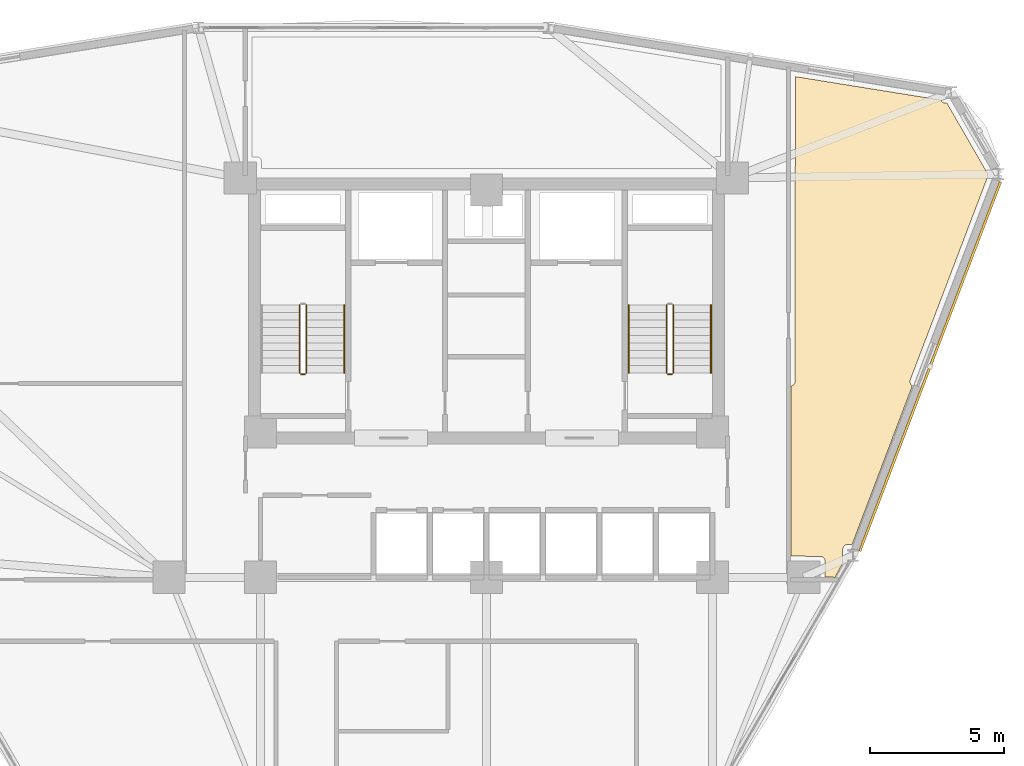
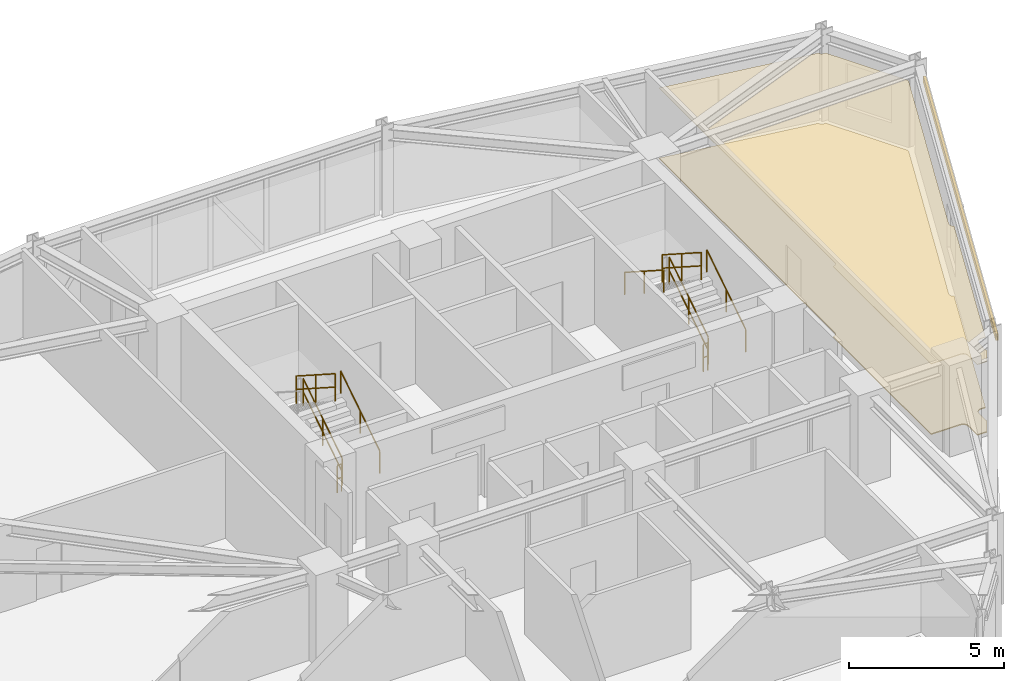
# One storey, part 14 of 15: 9 railings, 2 coverings, 1 shading device.
"""IFC4 building model written with IfcOpenShell, lengths in metres."""

from ifc_helpers import new_model, si_unit, derived_unit, direction, frame, origin, origin_2d, place, context, subcontext, project, spatial, polyline, hollow_rectangle, circle, outline, extrude, source, transform, mapped, material, layer, layer_set, material_profile, profile_set, type_object, element, save


model = new_model("IFC4")

# Units and contexts
model_context = context("Model", 3, precision=1e-05, world=origin(), true_north=direction((0.0, 1.0)))
body_context = subcontext(model_context, "Body", "Model", "MODEL_VIEW")
ifc_project = project(units=[si_unit("LENGTHUNIT", "METRE"), si_unit("AREAUNIT", "SQUARE_METRE"), si_unit("VOLUMEUNIT", "CUBIC_METRE"), si_unit("PLANEANGLEUNIT", "RADIAN"), si_unit("MASSUNIT", "GRAM", prefix="KILO"), derived_unit("THERMALTRANSMITTANCEUNIT", [(si_unit("POWERUNIT", "WATT"), 1), (si_unit("LENGTHUNIT", "METRE"), -2), (si_unit("THERMODYNAMICTEMPERATUREUNIT", "KELVIN"), -1)])], contexts=[model_context])

# Site, building, storey
site_placement = place(None, origin())
site = spatial("IfcSite", under=ifc_project, at=site_placement, CompositionType="ELEMENT")
building_placement = place(site_placement, origin())
building = spatial("IfcBuilding", under=site, at=building_placement, Name="Korsvarv Bourse and Concert Hall", CompositionType="ELEMENT")
storey_placement = place(building_placement, frame((0.0, 0.0, 147.0)))
storey = spatial("IfcBuildingStorey", under=building, at=storey_placement, Name="L37", CompositionType="ELEMENT", Elevation=147.0)

# Coverings
ifc_material_1 = material(Name="Perforated mineral-wool and birch acoustic baffle ceiling", Category="wood")
ifc_layer_1 = layer(ifc_material_1, 0.02490234375)
ifc_layer_set_1 = layer_set([ifc_layer_1], Name="Perforated mineral-wool and birch acoustic baffle ceiling")
covering_type_1 = type_object("IfcCoveringType", Name="COV-CEIL-1", PredefinedType="CEILING", material=ifc_layer_set_1)
covering_1_placement = place(storey_placement, frame((0.0, 0.0, 2.780029296875)))
element("IfcCovering", 1, at=covering_1_placement, inside=storey, type_object=covering_type_1, Name="L37 acoustic baffle ceiling 2", PredefinedType="CEILING", context=body_context, shape_type="SweptSolid", body=[
    extrude(outline(polyline([(47.320068359375, 39.51123046875), (47.34521484375, 39.515869140625), (47.37939453125, 39.5283203125), (47.41015625, 39.547607421875), (47.4365234375, 39.57275390625), (47.45751953125, 39.602783203125), (47.4716796875, 39.635986328125), (47.47900390625, 39.671875), (47.47998046875, 51.01513671875), (52.8974609375, 50.1435546875), (52.907470703125, 50.121826171875), (52.927978515625, 50.092041015625), (52.9541015625, 50.067138671875), (52.984619140625, 50.047607421875), (53.018310546875, 50.034912109375), (53.05419921875, 50.029052734375), (53.1201171875, 50.02490234375), (54.637939453125, 47.39599609375), (54.637939453125, 47.3056640625), (51.75634765625, 39.743408203125), (51.7470703125, 39.70849609375), (51.74462890625, 39.672119140625), (51.75, 39.63623046875), (51.76220703125, 39.60205078125), (51.781005859375, 39.571044921875), (51.8056640625, 39.54443359375), (51.835205078125, 39.523193359375), (49.593994140625, 33.619140625), (49.42529296875, 33.619140625), (49.390625, 33.61572265625), (49.357421875, 33.605712890625), (49.326416015625, 33.589599609375), (49.29931640625, 33.56787109375), (49.277099609375, 33.541259765625), (49.260009765625, 33.5107421875), (49.24951171875, 33.477783203125), (49.2451171875, 33.443115234375), (49.235107421875, 32.998046875), (49.23779296875, 32.962890625), (49.24755859375, 32.9287109375), (48.951904296875, 32.394775390625), (48.927490234375, 32.40185546875), (48.892578125, 32.405517578125), (48.590087890625, 32.408447265625), (48.590087890625, 33.0), (48.586669921875, 33.034912109375), (48.576416015625, 33.068603515625), (48.56005859375, 33.099609375), (48.537841796875, 33.126708984375), (48.5107421875, 33.149169921875), (48.47998046875, 33.166015625), (48.4462890625, 33.17626953125), (48.41162109375, 33.179931640625), (47.320068359375, 33.18896484375), (47.320068359375, 39.51123046875)])), origin(), (0.0, 0.0, 1.0), 0.02490234375),
])
ifc_material_2 = material(Name="Calcium-sulphate raised access trading floor with Nordic oak top", Category="wood")
ifc_layer_2 = layer(ifc_material_2, 0.0400390625)
ifc_layer_set_2 = layer_set([ifc_layer_2], Name="Calcium-sulphate raised access trading floor with Nordic oak top")
covering_type_2 = type_object("IfcCoveringType", Name="COV-FLOR-1", PredefinedType="FLOORING", material=ifc_layer_set_2)
covering_2_placement = place(storey_placement, origin())
element("IfcCovering", 2, at=covering_2_placement, inside=storey, type_object=covering_type_2, Name="L37 raised access oak floor finish 2", PredefinedType="FLOORING", context=body_context, shape_type="SweptSolid", body=[
    extrude(outline(polyline([(47.320068359375, 39.51123046875), (47.34521484375, 39.515869140625), (47.37939453125, 39.5283203125), (47.41015625, 39.547607421875), (47.4365234375, 39.57275390625), (47.45751953125, 39.602783203125), (47.4716796875, 39.635986328125), (47.47900390625, 39.671875), (47.47998046875, 51.01513671875), (52.8974609375, 50.1435546875), (52.907470703125, 50.121826171875), (52.927978515625, 50.092041015625), (52.9541015625, 50.067138671875), (52.984619140625, 50.047607421875), (53.018310546875, 50.034912109375), (53.05419921875, 50.029052734375), (53.1201171875, 50.02490234375), (54.637939453125, 47.39599609375), (54.637939453125, 47.3056640625), (51.75634765625, 39.743408203125), (51.7470703125, 39.70849609375), (51.74462890625, 39.672119140625), (51.75, 39.63623046875), (51.76220703125, 39.60205078125), (51.781005859375, 39.571044921875), (51.8056640625, 39.54443359375), (51.835205078125, 39.523193359375), (49.593994140625, 33.619140625), (49.42529296875, 33.619140625), (49.390625, 33.61572265625), (49.357421875, 33.605712890625), (49.326416015625, 33.589599609375), (49.29931640625, 33.56787109375), (49.277099609375, 33.541259765625), (49.260009765625, 33.5107421875), (49.24951171875, 33.477783203125), (49.2451171875, 33.443115234375), (49.235107421875, 32.998046875), (49.23779296875, 32.962890625), (49.24755859375, 32.9287109375), (48.951904296875, 32.394775390625), (48.927490234375, 32.40185546875), (48.892578125, 32.405517578125), (48.590087890625, 32.408447265625), (48.590087890625, 33.0), (48.586669921875, 33.034912109375), (48.576416015625, 33.068603515625), (48.56005859375, 33.099609375), (48.537841796875, 33.126708984375), (48.5107421875, 33.149169921875), (48.47998046875, 33.166015625), (48.4462890625, 33.17626953125), (48.41162109375, 33.179931640625), (47.320068359375, 33.18896484375), (47.320068359375, 39.51123046875)])), origin(), (0.0, 0.0, 1.0), 0.0400390625),
])

# Railings
ifc_material_3 = material(Name="Painted Steel S355 stair well guardrail", Category="steel")
railing_type_1 = type_object("IfcRailingType", Name="RL-ST-GRD", PredefinedType="GUARDRAIL", material=ifc_material_3)
railing_1_placement = place(storey_placement, frame((29.31005859375, 40.0, 0.179931640625)))
element("IfcRailing", 3, at=railing_1_placement, inside=storey, type_object=railing_type_1, Name="L37 ST-T1 stair guard 1", PredefinedType="GUARDRAIL", context=body_context, shape_type="SweptSolid", body=[
    extrude(circle(Radius=0.02392578125, at=origin_2d()), frame((0.0, 0.0, 1.076171875), z_axis=(0.0, 0.841162588446, 0.540782303519), x_axis=(-1.0, 0.0, 0.0)), (0.0, 0.0, 1.0), 2.995849609375),
    extrude(circle(Radius=0.02392578125, at=origin_2d()), frame((0.0, 0.0, 0.550048828125), z_axis=(0.0, 0.841162588446, 0.540782303519), x_axis=(-1.0, 0.0, 0.0)), (0.0, 0.0, 1.0), 2.995849609375),
    extrude(circle(Radius=0.02099609375, at=origin_2d()), origin(), (0.0, 0.0, 1.0), 1.052001953125),
    extrude(circle(Radius=0.02099609375, at=origin_2d()), frame((0.0, 1.260009765625, 0.81005859375)), (0.0, 0.0, 1.0), 1.052001953125),
    extrude(circle(Radius=0.02099609375, at=origin_2d()), frame((0.0, 2.52001953125, 1.6201171875)), (0.0, 0.0, 1.0), 1.052001953125),
])
railing_2_placement = place(storey_placement, frame((29.050048828125, 42.52001953125, 1.97998046875)))
element("IfcRailing", 4, at=railing_2_placement, inside=storey, type_object=railing_type_1, Name="L37 ST-T1 stair guard 3", PredefinedType="GUARDRAIL", context=body_context, shape_type="SweptSolid", body=[
    extrude(circle(Radius=0.02392578125, at=origin_2d()), frame((0.0, 0.0, 1.076171875), z_axis=(0.0, -0.841162588446, 0.540782303519), x_axis=(1.0, 0.0, 0.0)), (0.0, 0.0, 1.0), 2.995849609375),
    extrude(circle(Radius=0.02392578125, at=origin_2d()), frame((0.0, 0.0, 0.550048828125), z_axis=(0.0, -0.841162588446, 0.540782303519), x_axis=(1.0, 0.0, 0.0)), (0.0, 0.0, 1.0), 2.995849609375),
    extrude(circle(Radius=0.02099609375, at=origin_2d()), origin(), (0.0, 0.0, 1.0), 1.052001953125),
    extrude(circle(Radius=0.02099609375, at=origin_2d()), frame((0.0, -1.260009765625, 0.81005859375)), (0.0, 0.0, 1.0), 1.052001953125),
    extrude(circle(Radius=0.02099609375, at=origin_2d()), frame((0.0, -2.52001953125, 1.6201171875)), (0.0, 0.0, 1.0), 1.052001953125),
])
railing_3_placement = place(storey_placement, frame((29.260009765625, 39.949951171875, 0.0)))
element("IfcRailing", 5, at=railing_3_placement, inside=storey, type_object=railing_type_1, Name="L37 ST-T1 stair guard 4", PredefinedType="GUARDRAIL", context=body_context, shape_type="SweptSolid", body=[
    extrude(circle(Radius=0.02392578125, at=origin_2d()), frame((0.0, 0.0, 1.076171875), z_axis=(-1.0, 0.0, 0.0), x_axis=(0.0, -1.0, 0.0)), (0.0, 0.0, 1.0), 0.159912109375),
    extrude(circle(Radius=0.02392578125, at=origin_2d()), frame((0.0, 0.0, 0.550048828125), z_axis=(-1.0, 0.0, 0.0), x_axis=(0.0, -1.0, 0.0)), (0.0, 0.0, 1.0), 0.159912109375),
    extrude(circle(Radius=0.02099609375, at=origin_2d()), origin(), (0.0, 0.0, 1.0), 1.052001953125),
    extrude(circle(Radius=0.02099609375, at=origin_2d()), frame((-0.159912109375, 0.0, 0.0)), (0.0, 0.0, 1.0), 1.052001953125),
])
railing_4_placement = place(storey_placement, frame((42.949951171875, 40.0, 0.179931640625)))
element("IfcRailing", 6, at=railing_4_placement, inside=storey, type_object=railing_type_1, Name="L37 ST-T2 stair guard 1", PredefinedType="GUARDRAIL", context=body_context, shape_type="SweptSolid", body=[
    extrude(circle(Radius=0.02392578125, at=origin_2d()), frame((0.0, 0.0, 1.076171875), z_axis=(0.0, 0.841162588446, 0.540782303519), x_axis=(-1.0, 0.0, 0.0)), (0.0, 0.0, 1.0), 2.995849609375),
    extrude(circle(Radius=0.02392578125, at=origin_2d()), frame((0.0, 0.0, 0.550048828125), z_axis=(0.0, 0.841162588446, 0.540782303519), x_axis=(-1.0, 0.0, 0.0)), (0.0, 0.0, 1.0), 2.995849609375),
    extrude(circle(Radius=0.02099609375, at=origin_2d()), origin(), (0.0, 0.0, 1.0), 1.052001953125),
    extrude(circle(Radius=0.02099609375, at=origin_2d()), frame((0.0, 1.260009765625, 0.81005859375)), (0.0, 0.0, 1.0), 1.052001953125),
    extrude(circle(Radius=0.02099609375, at=origin_2d()), frame((0.0, 2.52001953125, 1.6201171875)), (0.0, 0.0, 1.0), 1.052001953125),
])
railing_5_placement = place(storey_placement, frame((42.68994140625, 42.52001953125, 1.97998046875)))
element("IfcRailing", 7, at=railing_5_placement, inside=storey, type_object=railing_type_1, Name="L37 ST-T2 stair guard 3", PredefinedType="GUARDRAIL", context=body_context, shape_type="SweptSolid", body=[
    extrude(circle(Radius=0.02392578125, at=origin_2d()), frame((0.0, 0.0, 1.076171875), z_axis=(0.0, -0.841162588446, 0.540782303519), x_axis=(1.0, 0.0, 0.0)), (0.0, 0.0, 1.0), 2.995849609375),
    extrude(circle(Radius=0.02392578125, at=origin_2d()), frame((0.0, 0.0, 0.550048828125), z_axis=(0.0, -0.841162588446, 0.540782303519), x_axis=(1.0, 0.0, 0.0)), (0.0, 0.0, 1.0), 2.995849609375),
    extrude(circle(Radius=0.02099609375, at=origin_2d()), origin(), (0.0, 0.0, 1.0), 1.052001953125),
    extrude(circle(Radius=0.02099609375, at=origin_2d()), frame((0.0, -1.260009765625, 0.81005859375)), (0.0, 0.0, 1.0), 1.052001953125),
    extrude(circle(Radius=0.02099609375, at=origin_2d()), frame((0.0, -2.52001953125, 1.6201171875)), (0.0, 0.0, 1.0), 1.052001953125),
])
railing_6_placement = place(storey_placement, frame((42.89990234375, 39.949951171875, 0.0)))
element("IfcRailing", 8, at=railing_6_placement, inside=storey, type_object=railing_type_1, Name="L37 ST-T2 stair guard 4", PredefinedType="GUARDRAIL", context=body_context, shape_type="SweptSolid", body=[
    extrude(circle(Radius=0.02392578125, at=origin_2d()), frame((0.0, 0.0, 1.076171875), z_axis=(-1.0, 0.0, 0.0), x_axis=(0.0, -1.0, 0.0)), (0.0, 0.0, 1.0), 0.159912109375),
    extrude(circle(Radius=0.02392578125, at=origin_2d()), frame((0.0, 0.0, 0.550048828125), z_axis=(-1.0, 0.0, 0.0), x_axis=(0.0, -1.0, 0.0)), (0.0, 0.0, 1.0), 0.159912109375),
    extrude(circle(Radius=0.02099609375, at=origin_2d()), origin(), (0.0, 0.0, 1.0), 1.052001953125),
    extrude(circle(Radius=0.02099609375, at=origin_2d()), frame((-0.159912109375, 0.0, 0.0)), (0.0, 0.0, 1.0), 1.052001953125),
])
ifc_material_4 = material(Name="Brushed stainless Steel S355 tubular handrail", Category="steel")
railing_type_2 = type_object("IfcRailingType", Name="RL-ST-HND", PredefinedType="HANDRAIL", material=ifc_material_4)
for number, where, name in (
    (9, (30.7099609375, 40.0, 0.179931640625), "L37 ST-T1 stair handrail 1"),
    (10, (44.35009765625, 40.0, 0.179931640625), "L37 ST-T2 stair handrail 1"),
):
    element("IfcRailing", number, at=place(storey_placement, frame(where)), inside=storey, type_object=railing_type_2, Name=name, PredefinedType="HANDRAIL", context=body_context, shape_type="SweptSolid", body=[
        extrude(circle(Radius=0.02392578125, at=origin_2d()), frame((0.0, 0.0, 0.8759765625), z_axis=(0.0, 0.841162588446, 0.540782303519), x_axis=(-1.0, 0.0, 0.0)), (0.0, 0.0, 1.0), 2.995849609375),
        extrude(circle(Radius=0.02099609375, at=origin_2d()), origin(), (0.0, 0.0, 1.0), 0.851806640625),
        extrude(circle(Radius=0.02099609375, at=origin_2d()), frame((0.0, 1.260009765625, 0.81005859375)), (0.0, 0.0, 1.0), 0.851806640625),
        extrude(circle(Radius=0.02099609375, at=origin_2d()), frame((0.0, 2.52001953125, 1.6201171875)), (0.0, 0.0, 1.0), 0.851806640625),
    ])
railing_7_placement = place(storey_placement, frame((41.2900390625, 42.52001953125, 1.97998046875)))
element("IfcRailing", 11, at=railing_7_placement, inside=storey, type_object=railing_type_2, Name="L37 ST-T2 stair handrail 2", PredefinedType="HANDRAIL", context=body_context, shape_type="SweptSolid", body=[
    extrude(circle(Radius=0.02392578125, at=origin_2d()), frame((0.0, 0.0, 0.8759765625), z_axis=(0.0, -0.841162588446, 0.540782303519), x_axis=(1.0, 0.0, 0.0)), (0.0, 0.0, 1.0), 2.995849609375),
    extrude(circle(Radius=0.02099609375, at=origin_2d()), origin(), (0.0, 0.0, 1.0), 0.851806640625),
    extrude(circle(Radius=0.02099609375, at=origin_2d()), frame((0.0, -1.260009765625, 0.81005859375)), (0.0, 0.0, 1.0), 0.851806640625),
    extrude(circle(Radius=0.02099609375, at=origin_2d()), frame((0.0, -2.52001953125, 1.6201171875)), (0.0, 0.0, 1.0), 0.851806640625),
])

# Shading device
ifc_material_5 = material(Name="Glazed extruded architectural terracotta", Category="ceramic")
ifc_material_profile = material_profile(ifc_material_5, hollow_rectangle(XDim=0.090087890625, YDim=0.260009765625, WallThickness=0.011962890625, at=origin_2d()), Name="TC-BAG 90x260")
ifc_profile_set = profile_set([ifc_material_profile], Name="Glazed extruded architectural terracotta")
shading_device_type = type_object("IfcShadingDeviceType", Name="SHD-BAG-1", PredefinedType="USERDEFINED", material=ifc_profile_set)
shared_shape = source(origin(), body_context, "Body", "SweptSolid", [
    extrude(hollow_rectangle(XDim=0.090087890625, YDim=0.260009765625, WallThickness=0.011962890625, at=origin_2d()), origin(), (0.0, 0.0, 1.0), 14.69677734375),
])
shading_device_placement = place(storey_placement, frame((49.87939453125, 33.371826171875, 2.840087890625), z_axis=(0.356092036372, 0.934450887758, 0.0), x_axis=(-0.934450887758, 0.356092036372, 0.0)))
element("IfcShadingDevice", 12, at=shading_device_placement, inside=storey, type_object=shading_device_type, Name="L37 terracotta baguette sunshade EW-L37-B12", ObjectType="BAGUETTE", PredefinedType="USERDEFINED", context=body_context, shape_type="MappedRepresentation", body=[
    mapped(shared_shape, transform((0.0, 0.0, 0.0), scale=1.0)),
])

save(model, "model.ifc")
